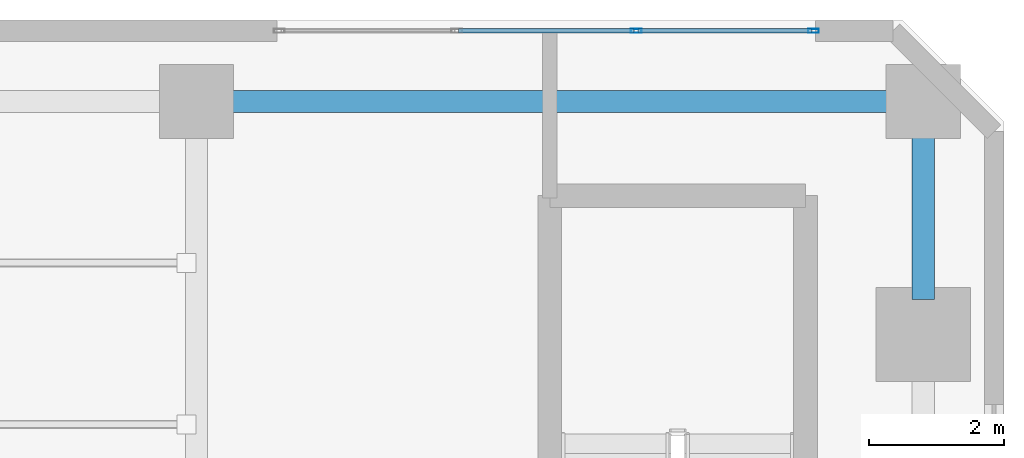
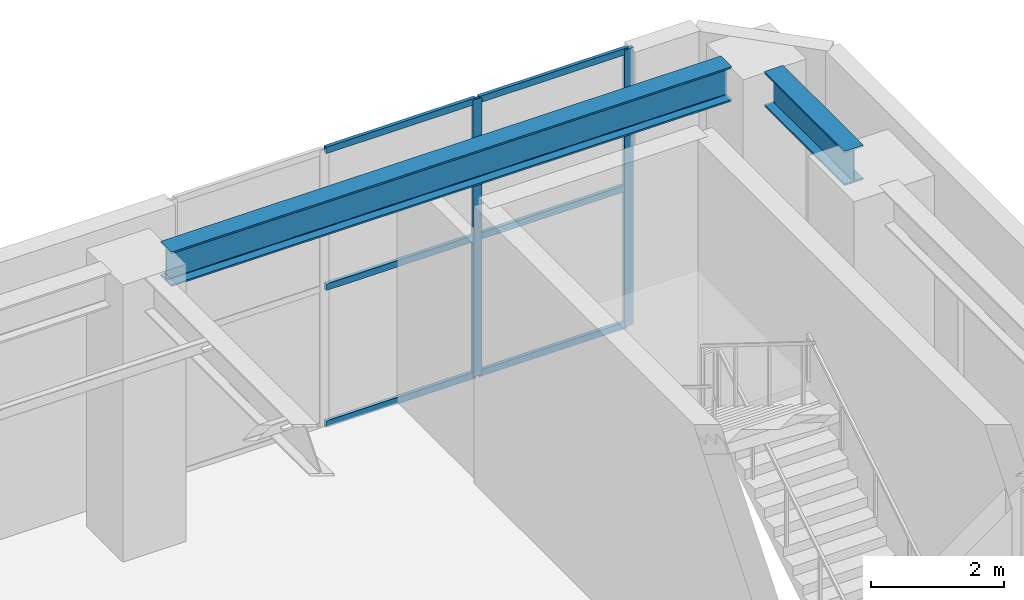
# One storey, part 21 of 32: 8 members, 2 beams, 1 element without a shape of its own.
"""IFC4 building model written with IfcOpenShell, lengths in metres."""

import ifcopenshell
import ifcopenshell.guid

model = None  # the IFC model being written
_history = None  # IfcOwnerHistory: only IFC2X3 demands one
_inside = {}  # id of a spatial element -> (the spatial element, [elements in it])
_under = {}  # id of a project, library or spatial element -> (it, [spatial elements below it])
_declared = {}  # id of a project -> (the project, [libraries it declares])
_typed = {}  # id of a type object -> (the type object, [elements of that type])
_made_of = {}  # id of a material, layer set ... -> (it, [elements and type objects made of it])


def new_model(schema):
    """Start an empty IFC model of exactly this schema.

    Asked for "IFC4X3", IfcOpenShell would pick the latest addendum, in which some entities
    have other attributes; the version numbers below select the first issue.
    IFC2X3 requires an IfcOwnerHistory on every rooted entity: one is made here for all.
    """
    global model, _history
    if schema == "IFC4X3":
        model = ifcopenshell.file(schema_version=(4, 3, 0, 0))
    else:
        model = ifcopenshell.file(schema=schema)
    _inside.clear()
    _under.clear()
    _declared.clear()
    _typed.clear()
    _made_of.clear()
    _history = None
    if model.schema == "IFC2X3":
        org = make("IfcOrganization", Name="unknown")
        user = make(
            "IfcPersonAndOrganization",
            ThePerson=make("IfcPerson", FamilyName="unknown"),
            TheOrganization=org,
        )
        app = make(
            "IfcApplication",
            ApplicationDeveloper=org,
            Version="unknown",
            ApplicationFullName="unknown",
            ApplicationIdentifier="unknown",
        )
        _history = make(
            "IfcOwnerHistory",
            OwningUser=user,
            OwningApplication=app,
            ChangeAction="ADDED",
            CreationDate=0,
        )
    return model


def make(cls, **values):
    """One entity of the class cls with the attributes given. An attribute that is None is left unset."""
    return model.create_entity(
        cls, **{name: value for name, value in values.items() if value is not None}
    )


def rooted(cls, **values):
    """An entity with a GlobalId (a new one), such as an element, a storey or a relation."""
    return make(cls, GlobalId=ifcopenshell.guid.new(), OwnerHistory=_history, **values)


def si_unit(unit_type, name, prefix=None):
    """IfcSIUnit, for example si_unit("LENGTHUNIT", "METRE", prefix="MILLI")."""
    return make("IfcSIUnit", UnitType=unit_type, Prefix=prefix, Name=name)


def assignment(units):
    """IfcUnitAssignment: the units of a project."""
    return None if units is None else make("IfcUnitAssignment", Units=units)


def point(xyz):
    """IfcCartesianPoint."""
    return None if xyz is None else make("IfcCartesianPoint", Coordinates=xyz)


def direction(xyz):
    """IfcDirection."""
    return None if xyz is None else make("IfcDirection", DirectionRatios=xyz)


def frame(location, z_axis=None, x_axis=None):
    """IfcAxis2Placement3D, a coordinate frame: its origin and axes. An axis left out is left unset."""
    return make(
        "IfcAxis2Placement3D",
        Location=point(location),
        Axis=direction(z_axis),
        RefDirection=direction(x_axis),
    )


def frame_2d(location, x_axis=None):
    """IfcAxis2Placement2D, a coordinate frame in the plane: its origin and x axis."""
    return make(
        "IfcAxis2Placement2D", Location=point(location), RefDirection=direction(x_axis)
    )


def origin():
    """The frame at (0, 0, 0) with its axes left unset."""
    return frame((0.0, 0.0, 0.0))


def origin_2d():
    """The frame at (0, 0) in the plane with its x axis left unset."""
    return frame_2d((0.0, 0.0))


def place(relative_to, where):
    """IfcLocalPlacement: puts the frame where relative to a parent placement (None: the world)."""
    return make(
        "IfcLocalPlacement", PlacementRelTo=relative_to, RelativePlacement=where
    )


def context(
    kind, dimensions, precision=None, world=None, true_north=None, identifier=None
):
    """IfcGeometricRepresentationContext, for example the 3D "Model" context."""
    return make(
        "IfcGeometricRepresentationContext",
        ContextIdentifier=identifier,
        ContextType=kind,
        CoordinateSpaceDimension=dimensions,
        Precision=precision,
        WorldCoordinateSystem=world,
        TrueNorth=true_north,
    )


def subcontext(parent, identifier, kind, view, scale=None):
    """IfcGeometricRepresentationSubContext, for example "Body" below "Model"."""
    return make(
        "IfcGeometricRepresentationSubContext",
        ContextIdentifier=identifier,
        ContextType=kind,
        ParentContext=parent,
        TargetScale=scale,
        TargetView=view,
    )


def project(units=None, contexts=None):
    """IfcProject with its units and contexts."""
    return rooted(
        "IfcProject",
        Name="project",
        RepresentationContexts=contexts,
        UnitsInContext=assignment(units),
    )


def spatial(cls, under=None, at=None, **own):
    """A site, building, storey or space (cls), placed at a placement, below another one or the project."""
    s = rooted(cls, ObjectPlacement=at, **own)
    if under is not None:
        _under.setdefault(under.id(), (under, []))[1].append(s)
    return s


def profile(cls, at=None, kind="AREA", **sizes):
    """A parametric profile (cls). Its sizes go by their IFC names, for example OverallWidth=200.0."""
    return make(cls, ProfileType=kind, Position=at, **sizes)


def hollow_rectangle(**sizes):
    """IfcRectangleHollowProfileDef."""
    return profile("IfcRectangleHollowProfileDef", **sizes)


def i_section(**sizes):
    """IfcIShapeProfileDef."""
    return profile("IfcIShapeProfileDef", **sizes)


def extrude(swept, where, along, depth):
    """IfcExtrudedAreaSolid: the profile swept, set in the frame where, extruded along a direction by depth."""
    return make(
        "IfcExtrudedAreaSolid",
        SweptArea=swept,
        Position=where,
        ExtrudedDirection=direction(along),
        Depth=depth,
    )


def shape(context_of_items, identifier, shape_type, items):
    """IfcShapeRepresentation: the items that make up one representation, for example the "Body"."""
    return make(
        "IfcShapeRepresentation",
        ContextOfItems=context_of_items,
        RepresentationIdentifier=identifier,
        RepresentationType=shape_type,
        Items=items,
    )


def material(Name=None, Category=None):
    """IfcMaterial."""
    return make("IfcMaterial", Name=Name, Category=Category)


def layer(
    of_material, thickness, ventilated=None, Name=None, Category=None, Priority=None
):
    """IfcMaterialLayer: one layer of a wall or slab, of a material (None: an air gap)."""
    return make(
        "IfcMaterialLayer",
        Material=of_material,
        LayerThickness=thickness,
        IsVentilated=ventilated,
        Name=Name,
        Category=Category,
        Priority=Priority,
    )


def layer_set(layers, Name=None):
    """IfcMaterialLayerSet."""
    return make("IfcMaterialLayerSet", MaterialLayers=layers, LayerSetName=Name)


def material_profile(
    of_material, cross_section, Name=None, Category=None, Priority=None
):
    """IfcMaterialProfile: a cross section and its material."""
    return make(
        "IfcMaterialProfile",
        Name=Name,
        Material=of_material,
        Profile=cross_section,
        Priority=Priority,
        Category=Category,
    )


def profile_set(profiles, Name=None, composite=None):
    """IfcMaterialProfileSet."""
    return make(
        "IfcMaterialProfileSet",
        Name=Name,
        MaterialProfiles=profiles,
        CompositeProfile=composite,
    )


def made_of(thing, what):
    """Note that an element or type object is made of a material, layer set ...; save() writes the relation."""
    if what is not None:
        _made_of.setdefault(what.id(), (what, []))[1].append(thing)
    return thing


def type_object(cls, material=None, **own):
    """A type object (cls), such as IfcWallType, which elements share."""
    return made_of(rooted(cls, **own), material)


def element(
    cls,
    number,
    at=None,
    inside=None,
    cuts=None,
    type_object=None,
    material=None,
    context=None,
    identifier="Body",
    shape_type=None,
    held_by="IfcProductDefinitionShape",
    body=None,
    shapes=None,
    **own,
):
    """One element of the class cls, such as IfcWall. Its Tag is "e" and its number.

    at: its placement. inside: the storey or other place that contains it. cuts: it is an
    opening in that element (IfcRelVoidsElement). A single representation is given by context,
    identifier, shape_type and body (its items); several are given by shapes. held_by: the class
    of the entity that holds the representations. save() writes the other relations.
    """
    e = rooted(cls, Tag="e%d" % number, ObjectPlacement=at, **own)
    if body is not None:
        shapes = [shape(context, identifier, shape_type, body)]
    if shapes is not None:
        e.Representation = make(held_by, Representations=shapes)
    if inside is not None:
        _inside.setdefault(inside.id(), (inside, []))[1].append(e)
    if cuts is not None:
        rooted(
            "IfcRelVoidsElement", RelatingBuildingElement=cuts, RelatedOpeningElement=e
        )
    if type_object is not None:
        _typed.setdefault(type_object.id(), (type_object, []))[1].append(e)
    return made_of(e, material)


def aggregate(whole, parts):
    """IfcRelAggregates: a whole, such as a stair, and the parts it consists of."""
    return rooted("IfcRelAggregates", RelatingObject=whole, RelatedObjects=parts)


def save(model, path):
    """Write the relations noted so far, then the file.

    IfcRelAggregates (storeys below a building ...), IfcRelContainedInSpatialStructure (elements
    in a storey), IfcRelDefinesByType, IfcRelAssociatesMaterial and IfcRelDeclares: one each for
    every whole, place, type object, material and project.
    """
    for whole, parts in _under.values():
        aggregate(whole, parts)
    for where, things in _inside.values():
        rooted(
            "IfcRelContainedInSpatialStructure",
            RelatedElements=things,
            RelatingStructure=where,
        )
    for kind, things in _typed.values():
        rooted("IfcRelDefinesByType", RelatedObjects=things, RelatingType=kind)
    for what, things in _made_of.values():
        rooted("IfcRelAssociatesMaterial", RelatedObjects=things, RelatingMaterial=what)
    for by, libraries in _declared.values():
        rooted("IfcRelDeclares", RelatingContext=by, RelatedDefinitions=libraries)
    model.write(path)


model = new_model("IFC4")

# Units and contexts
model_context = context("Model", 3, precision=1e-05, world=origin(), true_north=direction((0.0, 1.0)))
body_context = subcontext(model_context, "Body", "Model", "MODEL_VIEW")
ifc_project = project(units=[si_unit("LENGTHUNIT", "METRE"), si_unit("AREAUNIT", "SQUARE_METRE"), si_unit("VOLUMEUNIT", "CUBIC_METRE"), si_unit("PLANEANGLEUNIT", "RADIAN"), si_unit("MASSUNIT", "GRAM", prefix="KILO")], contexts=[model_context])

# Site, building, storey
site_placement = place(None, origin())
site = spatial("IfcSite", under=ifc_project, at=site_placement, CompositionType="ELEMENT")
building_placement = place(site_placement, origin())
building = spatial("IfcBuilding", under=site, at=building_placement, Name="Sarneth Arch Tower", CompositionType="ELEMENT")
storey_placement = place(building_placement, frame((0.0, 0.0, 11.39990234375)))
storey = spatial("IfcBuildingStorey", under=building, at=storey_placement, Name="L02", CompositionType="ELEMENT", Elevation=11.39990234375)

# Beams
ifc_material_1 = material(Name="Steel S355", Category="steel")
ifc_material_profile_1 = material_profile(ifc_material_1, i_section(OverallWidth=0.3291015625, OverallDepth=0.635009765625, WebThickness=0.017822265625, FlangeThickness=0.031005859375, FilletRadius=0.01904296875, at=origin_2d()), Name="W610x241")
ifc_profile_set_1 = profile_set([ifc_material_profile_1], Name="Steel S355")
beam_type = type_object("IfcBeamType", Name="BM-POD-610", PredefinedType="BEAM", material=ifc_profile_set_1)
beam_1_placement = place(storey_placement, frame((76.52001953125, 74.800048828125, 4.78271484375), z_axis=(1.0, 0.0, 0.0), x_axis=(0.0, 1.0, 0.0)))
element("IfcBeam", 1, at=beam_1_placement, inside=storey, type_object=beam_type, Name="L02 Podium PN girder 8", PredefinedType="BEAM", context=body_context, shape_type="SweptSolid", body=[
    extrude(i_section(OverallWidth=0.3291015625, OverallDepth=0.635009765625, WebThickness=0.017822265625, FlangeThickness=0.031005859375, FilletRadius=0.01904296875, at=origin_2d()), origin(), (0.0, 0.0, 1.0), 9.760009765625),
])
beam_2_placement = place(storey_placement, frame((86.800048828125, 71.856689453125, 4.78271484375), z_axis=(0.0, 1.0, 0.0), x_axis=(-1.0, 0.0, 0.0)))
element("IfcBeam", 2, at=beam_2_placement, inside=storey, type_object=beam_type, Name="L02 Podium PE girder 10", PredefinedType="BEAM", context=body_context, shape_type="SweptSolid", body=[
    extrude(i_section(OverallWidth=0.3291015625, OverallDepth=0.635009765625, WebThickness=0.017822265625, FlangeThickness=0.031005859375, FilletRadius=0.01904296875, at=origin_2d()), origin(), (0.0, 0.0, 1.0), 2.42333984375),
])

# Curtain wall, members
ifc_material_2 = material(Name="Anodised aluminium Type AA25 and solar-control low-e laminated IGU", Category="aluminium")
ifc_layer = layer(ifc_material_2, 0.179931640625)
ifc_layer_set = layer_set([ifc_layer], Name="Anodised aluminium Type AA25 and solar-control low-e laminated IGU")
curtain_wall_type = type_object("IfcCurtainWallType", Name="CW-PODIUM-CHAMF", PredefinedType="NOTDEFINED", material=ifc_layer_set)
curtain_wall_placement = place(storey_placement, origin())
curtain_wall = element("IfcCurtainWall", 3, at=curtain_wall_placement, inside=storey, type_object=curtain_wall_type, Name="L02 Podium bay curtain wall NE", PredefinedType="NOTDEFINED")
ifc_material_3 = material(Name="Anodised Aluminium 6063-T6", Category="aluminium")
ifc_material_profile_2 = material_profile(ifc_material_3, hollow_rectangle(XDim=0.06005859375, YDim=0.159912109375, WallThickness=0.00390625, at=origin_2d()), Name="AL-MULL-160x60x4")
ifc_profile_set_2 = profile_set([ifc_material_profile_2], Name="Anodised Aluminium 6063-T6")
member_type_1 = type_object("IfcMemberType", Name="CW-MULLION", PredefinedType="MULLION", material=ifc_profile_set_2)
member_1_placement = place(storey_placement, frame((85.169921875, 75.85009765625, 0.0), z_axis=(0.0, 0.0, 1.0), x_axis=(0.0, -1.0, 0.0)))
member_1 = element("IfcMember", 4, at=member_1_placement, type_object=member_type_1, Name="CW-SYS-1 mullion 1", PredefinedType="MULLION", context=body_context, shape_type="SweptSolid", body=[
    extrude(hollow_rectangle(XDim=0.06005859375, YDim=0.159912109375, WallThickness=0.00390625, at=origin_2d()), origin(), (0.0, 0.0, 1.0), 5.10009765625),
])
member_2_placement = place(storey_placement, frame((82.533447265625, 75.85009765625, 0.0), z_axis=(0.0, 0.0, 1.0), x_axis=(0.0, -1.0, 0.0)))
member_2 = element("IfcMember", 5, at=member_2_placement, type_object=member_type_1, Name="CW-SYS-1 mullion 2", PredefinedType="MULLION", context=body_context, shape_type="SweptSolid", body=[
    extrude(hollow_rectangle(XDim=0.06005859375, YDim=0.159912109375, WallThickness=0.00390625, at=origin_2d()), origin(), (0.0, 0.0, 1.0), 5.10009765625),
])
ifc_material_4 = material(Name="Anodised Aluminium 6063-T6", Category="aluminium")
ifc_material_profile_3 = material_profile(ifc_material_4, hollow_rectangle(XDim=0.06005859375, YDim=0.1201171875, WallThickness=0.00390625, at=origin_2d()), Name="AL-TRAN-120x60x4")
ifc_profile_set_3 = profile_set([ifc_material_profile_3], Name="Anodised Aluminium 6063-T6")
member_type_2 = type_object("IfcMemberType", Name="CW-TRANSOM", PredefinedType="USERDEFINED", material=ifc_profile_set_3)
member_3_placement = place(storey_placement, frame((85.139892578125, 75.85009765625, 0.030029296875), z_axis=(-1.0, 0.0, 0.0), x_axis=(0.0, -1.0, 0.0)))
member_3 = element("IfcMember", 6, at=member_3_placement, type_object=member_type_2, Name="CW-SYS-1 transom 1.1", ObjectType="TRANSOM", PredefinedType="USERDEFINED", context=body_context, shape_type="SweptSolid", body=[
    extrude(hollow_rectangle(XDim=0.06005859375, YDim=0.1201171875, WallThickness=0.00390625, at=origin_2d()), origin(), (0.0, 0.0, 1.0), 2.57666015625),
])
member_4_placement = place(storey_placement, frame((85.139892578125, 75.85009765625, 2.550048828125), z_axis=(-1.0, 0.0, 0.0), x_axis=(0.0, -1.0, 0.0)))
member_4 = element("IfcMember", 7, at=member_4_placement, type_object=member_type_2, Name="CW-SYS-1 transom 1.2", ObjectType="TRANSOM", PredefinedType="USERDEFINED", context=body_context, shape_type="SweptSolid", body=[
    extrude(hollow_rectangle(XDim=0.06005859375, YDim=0.1201171875, WallThickness=0.00390625, at=origin_2d()), origin(), (0.0, 0.0, 1.0), 2.57666015625),
])
member_5_placement = place(storey_placement, frame((85.139892578125, 75.85009765625, 5.070068359375), z_axis=(-1.0, 0.0, 0.0), x_axis=(0.0, -1.0, 0.0)))
member_5 = element("IfcMember", 8, at=member_5_placement, type_object=member_type_2, Name="CW-SYS-1 transom 1.3", ObjectType="TRANSOM", PredefinedType="USERDEFINED", context=body_context, shape_type="SweptSolid", body=[
    extrude(hollow_rectangle(XDim=0.06005859375, YDim=0.1201171875, WallThickness=0.00390625, at=origin_2d()), origin(), (0.0, 0.0, 1.0), 2.57666015625),
])
member_6_placement = place(storey_placement, frame((82.50341796875, 75.85009765625, 0.030029296875), z_axis=(-1.0, 0.0, 0.0), x_axis=(0.0, -1.0, 0.0)))
member_6 = element("IfcMember", 9, at=member_6_placement, type_object=member_type_2, Name="CW-SYS-1 transom 2.1", ObjectType="TRANSOM", PredefinedType="USERDEFINED", context=body_context, shape_type="SweptSolid", body=[
    extrude(hollow_rectangle(XDim=0.06005859375, YDim=0.1201171875, WallThickness=0.00390625, at=origin_2d()), origin(), (0.0, 0.0, 1.0), 2.606689453125),
])
member_7_placement = place(storey_placement, frame((82.50341796875, 75.85009765625, 2.550048828125), z_axis=(-1.0, 0.0, 0.0), x_axis=(0.0, -1.0, 0.0)))
member_7 = element("IfcMember", 10, at=member_7_placement, type_object=member_type_2, Name="CW-SYS-1 transom 2.2", ObjectType="TRANSOM", PredefinedType="USERDEFINED", context=body_context, shape_type="SweptSolid", body=[
    extrude(hollow_rectangle(XDim=0.06005859375, YDim=0.1201171875, WallThickness=0.00390625, at=origin_2d()), origin(), (0.0, 0.0, 1.0), 2.606689453125),
])
member_8_placement = place(storey_placement, frame((82.50341796875, 75.85009765625, 5.070068359375), z_axis=(-1.0, 0.0, 0.0), x_axis=(0.0, -1.0, 0.0)))
member_8 = element("IfcMember", 11, at=member_8_placement, type_object=member_type_2, Name="CW-SYS-1 transom 2.3", ObjectType="TRANSOM", PredefinedType="USERDEFINED", context=body_context, shape_type="SweptSolid", body=[
    extrude(hollow_rectangle(XDim=0.06005859375, YDim=0.1201171875, WallThickness=0.00390625, at=origin_2d()), origin(), (0.0, 0.0, 1.0), 2.606689453125),
])
aggregate(curtain_wall, [member_1, member_2, member_3, member_4, member_5, member_6, member_7, member_8])

save(model, "model.ifc")
